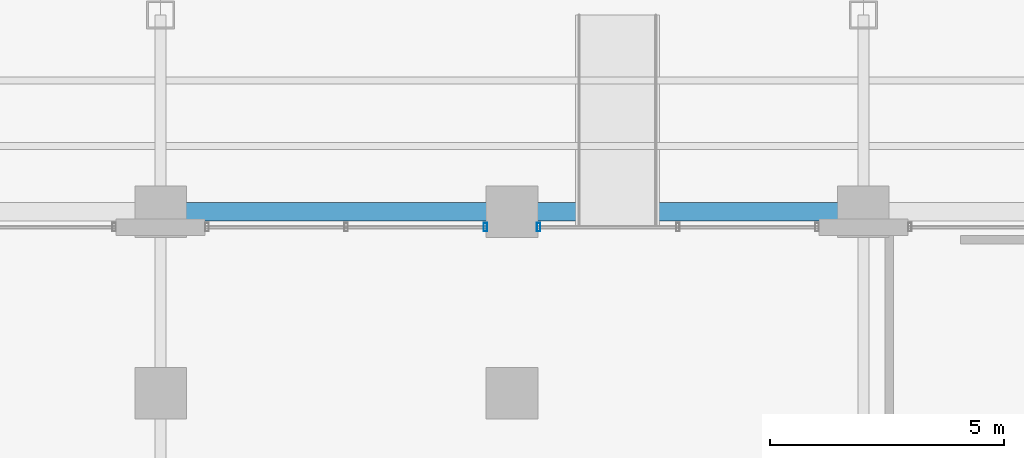
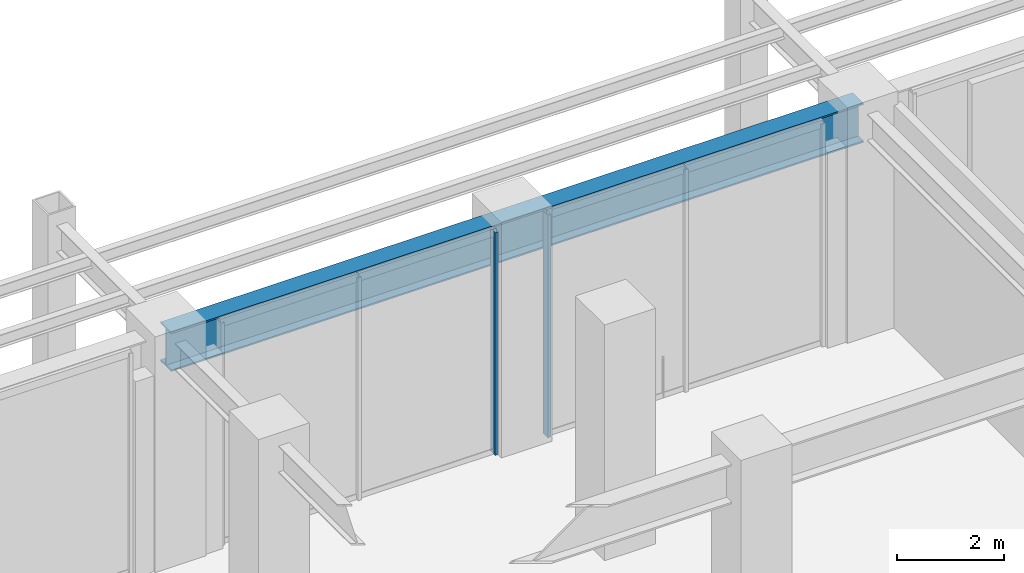
# One storey, part 9 of 23: 2 members, 1 beam, 2 elements without a shape of their own.
"""IFC4 building model written with IfcOpenShell, lengths in metres."""

from ifc_helpers import new_model, si_unit, direction, frame, origin, origin_2d, place, context, subcontext, project, spatial, hollow_rectangle, i_section, extrude, material, material_profile, profile_set, type_object, element, aggregate, save


model = new_model("IFC4")

# Units and contexts
model_context = context("Model", 3, precision=1e-05, world=origin(), true_north=direction((0.0, 1.0)))
body_context = subcontext(model_context, "Body", "Model", "MODEL_VIEW")
ifc_project = project(units=[si_unit("LENGTHUNIT", "METRE"), si_unit("AREAUNIT", "SQUARE_METRE"), si_unit("VOLUMEUNIT", "CUBIC_METRE"), si_unit("PLANEANGLEUNIT", "RADIAN"), si_unit("MASSUNIT", "GRAM", prefix="KILO")], contexts=[model_context])

# Site, building, storey
site_placement = place(None, origin())
site = spatial("IfcSite", under=ifc_project, at=site_placement, CompositionType="ELEMENT")
building_placement = place(site_placement, origin())
building = spatial("IfcBuilding", under=site, at=building_placement, Name="Ventersveld Concourse Tower", CompositionType="ELEMENT")
storey_placement = place(building_placement, origin())
storey = spatial("IfcBuildingStorey", under=building, at=storey_placement, Name="L00", CompositionType="ELEMENT", Elevation=0.0)

# Curtain wall, member
ifc_material_1 = material(Name="Anodised aluminium EN AW-6063-T6", Category="aluminium")
curtain_wall_type = type_object("IfcCurtainWallType", Name="CW-CONC-1", PredefinedType="NOTDEFINED", material=ifc_material_1)
curtain_wall_1_placement = place(storey_placement, origin())
curtain_wall_1 = element("IfcCurtainWall", 1, at=curtain_wall_1_placement, inside=storey, type_object=curtain_wall_type, Name="L00 Station Concourse North Storefront 3", PredefinedType="NOTDEFINED")
ifc_material_profile_1 = material_profile(ifc_material_1, hollow_rectangle(XDim=0.074951171875, YDim=0.179931640625, WallThickness=0.00390625, at=origin_2d()), Name="ALU 180x75x4")
ifc_profile_set_1 = profile_set([ifc_material_profile_1], Name="Anodised aluminium EN AW-6063-T6")
member_type = type_object("IfcMemberType", Name="CWM-180x75", PredefinedType="MULLION", material=ifc_profile_set_1)
member_1_placement = place(storey_placement, frame((35.679931640625, 43.669921875, 0.0), z_axis=(0.0, 0.0, 1.0), x_axis=(1.0, 0.0, 0.0)))
member_1 = element("IfcMember", 2, at=member_1_placement, type_object=member_type, Name="CW-L00-N3-S1 Mullion 03", PredefinedType="MULLION", context=body_context, shape_type="SweptSolid", body=[
    extrude(hollow_rectangle(XDim=0.074951171875, YDim=0.179931640625, WallThickness=0.00390625, at=origin_2d()), origin(), (0.0, 0.0, 1.0), 5.10009765625),
])
aggregate(curtain_wall_1, [member_1])

curtain_wall_2_placement = place(storey_placement, origin())
curtain_wall_2 = element("IfcCurtainWall", 3, at=curtain_wall_2_placement, inside=storey, type_object=curtain_wall_type, Name="L00 Station Concourse North Storefront 3", PredefinedType="NOTDEFINED")
member_2_placement = place(storey_placement, frame((36.820068359375, 43.669921875, 0.0), z_axis=(0.0, 0.0, 1.0), x_axis=(1.0, 0.0, 0.0)))
member_2 = element("IfcMember", 4, at=member_2_placement, type_object=member_type, Name="CW-L00-N3-S2 Mullion 01", PredefinedType="MULLION", context=body_context, shape_type="SweptSolid", body=[
    extrude(hollow_rectangle(XDim=0.074951171875, YDim=0.179931640625, WallThickness=0.00390625, at=origin_2d()), origin(), (0.0, 0.0, 1.0), 5.10009765625),
])
aggregate(curtain_wall_2, [member_2])

# Beam
ifc_material_2 = material(Name="Structural steel S355J2", Category="steel")
ifc_material_profile_2 = material_profile(ifc_material_2, i_section(OverallWidth=0.39990234375, OverallDepth=0.89990234375, WebThickness=0.02197265625, FlangeThickness=0.035888671875, at=origin_2d()), Name="PG 900x400x36")
ifc_profile_set_2 = profile_set([ifc_material_profile_2], Name="Structural steel S355J2")
beam_type = type_object("IfcBeamType", Name="GRD-PG900", PredefinedType="USERDEFINED", material=ifc_profile_set_2)
beam_placement = place(storey_placement, frame((28.75, 44.0, 4.64990234375), z_axis=(1.0, 0.0, 0.0), x_axis=(0.0, 1.0, 0.0)))
element("IfcBeam", 5, at=beam_placement, inside=storey, type_object=beam_type, Name="L00 Podium Primary Girder Y=44.0m", ObjectType="GIRDER", PredefinedType="USERDEFINED", context=body_context, shape_type="SweptSolid", body=[
    extrude(i_section(OverallWidth=0.39990234375, OverallDepth=0.89990234375, WebThickness=0.02197265625, FlangeThickness=0.035888671875, at=origin_2d()), origin(), (0.0, 0.0, 1.0), 15.0),
])

save(model, "model.ifc")
